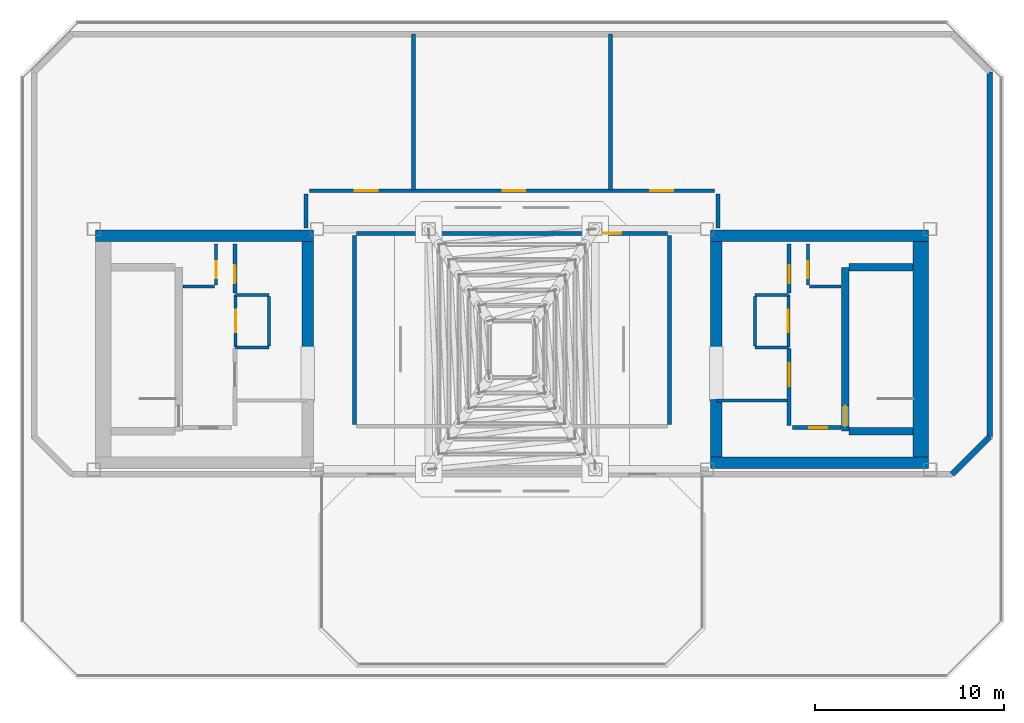
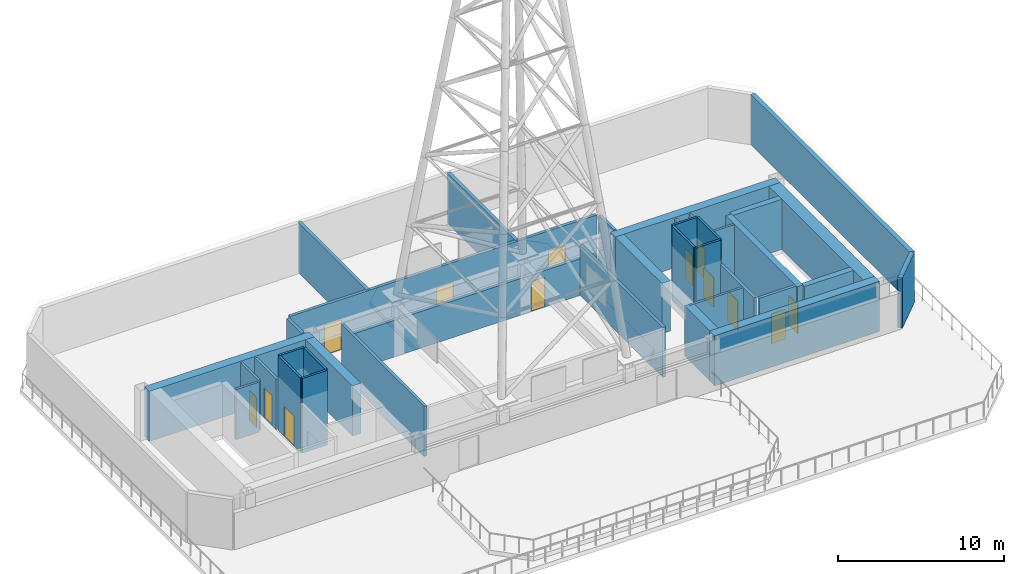
# One storey, part 3 of 7: 37 walls, 13 doors, 13 openings.
"""IFC4 building model written with IfcOpenShell, lengths in metres."""

from ifc_helpers import new_model, si_unit, direction, frame, frame_2d, origin, place, context, subcontext, project, spatial, rectangle, extrude, material, layer, layer_set, type_object, element, fill, save


model = new_model("IFC4")

# Units and contexts
model_context = context("Model", 3, precision=1e-05, world=origin(), true_north=direction((0.0, 1.0)))
body_context = subcontext(model_context, "Body", "Model", "MODEL_VIEW")
ifc_project = project(units=[si_unit("LENGTHUNIT", "METRE"), si_unit("AREAUNIT", "SQUARE_METRE"), si_unit("VOLUMEUNIT", "CUBIC_METRE"), si_unit("PLANEANGLEUNIT", "RADIAN"), si_unit("MASSUNIT", "GRAM", prefix="KILO")], contexts=[model_context])

# Site, building, storey
site_placement = place(None, origin())
site = spatial("IfcSite", under=ifc_project, at=site_placement, CompositionType="ELEMENT")
building_placement = place(site_placement, origin())
building = spatial("IfcBuilding", under=site, at=building_placement, Name="Tavrogorsk Clinical Tower", CompositionType="ELEMENT")
storey_placement = place(building_placement, frame((0.0, 0.0, 357.0)))
storey = spatial("IfcBuildingStorey", under=building, at=storey_placement, Name="L83", CompositionType="ELEMENT", Elevation=357.0)

# Wall, opening, door
ifc_material_1 = material(Name="Concrete B60", Category="concrete")
ifc_layer_1 = layer(ifc_material_1, 0.199951171875)
ifc_layer_set_1 = layer_set([ifc_layer_1], Name="Concrete B60")
wall_type_1 = type_object("IfcWallType", Name="CoreFireWall_200", PredefinedType="SOLIDWALL", material=ifc_layer_set_1)
wall_1_placement = place(storey_placement, frame((-14.639892578125, 2.9599609375, 0.0), z_axis=(0.0, 0.0, 1.0), x_axis=(0.0, 1.0, 0.0)))
wall_1 = element("IfcWall", 1, at=wall_1_placement, inside=storey, type_object=wall_type_1, Name="L83 Core West North Core Room East Wall", PredefinedType="SOLIDWALL", context=body_context, shape_type="SweptSolid", body=[
    extrude(rectangle(XDim=2.60009765625, YDim=0.199951171875, at=frame_2d((1.300048828125, 0.0))), origin(), (0.0, 0.0, 1.0), 3.699951171875),
])
opening_1_placement = place(wall_1_placement, frame((0.52001953125, 0.0, 0.0)))
opening_1 = element("IfcOpeningElement", 2, at=opening_1_placement, cuts=wall_1, Name="Opening ID-02", PredefinedType="OPENING", context=body_context, shape_type="SweptSolid", body=[
    extrude(rectangle(XDim=0.949951171875, YDim=2.199951171875, at=frame_2d((0.47509765625, 1.10009765625))), frame((0.0, 0.10986328125, 0.0), z_axis=(0.0, -1.0, 0.0), x_axis=(1.0, 0.0, 0.0)), (0.0, 0.0, 1.0), 0.219970703125),
])
ifc_material_2 = material(Name="Laminated timber leaf on aluminium frame", Category="wood")
door_type_1 = type_object("IfcDoorType", Name="InteriorDoor_ID02_950", OperationType="NOTDEFINED", PredefinedType="DOOR", material=ifc_material_2)
door_1_placement = place(opening_1_placement, origin())
door_1 = element("IfcDoor", 3, at=door_1_placement, inside=storey, type_object=door_type_1, Name="L83 Core West Core Telemetry Room Door", OperationType="SINGLE_SWING_LEFT", OverallHeight=2.199951171875, OverallWidth=0.949951171875, PredefinedType="DOOR", context=body_context, shape_type="SweptSolid", body=[
    extrude(rectangle(XDim=0.949951171875, YDim=2.199951171875, at=frame_2d((0.47509765625, 1.10009765625))), frame((0.0, 0.02490234375, 0.0), z_axis=(0.0, -1.0, 0.0), x_axis=(1.0, 0.0, 0.0)), (0.0, 0.0, 1.0), 0.050048828125),
])
fill(opening_1, door_1)

wall_2_placement = place(storey_placement, frame((14.824951171875, -4.139892578125, 0.0), z_axis=(0.0, 0.0, 1.0), x_axis=(1.0, 0.0, 0.0)))
wall_2 = element("IfcWall", 4, at=wall_2_placement, inside=storey, type_object=wall_type_1, Name="L83 Core East South Core Room Fire Wall", PredefinedType="SOLIDWALL", context=body_context, shape_type="SweptSolid", body=[
    extrude(rectangle(XDim=2.554931640625, YDim=0.199951171875, at=frame_2d((1.27734375, 0.0))), origin(), (0.0, 0.0, 1.0), 3.699951171875),
])
opening_2_placement = place(wall_2_placement, frame((0.8798828125, 0.0, 0.0)))
opening_2 = element("IfcOpeningElement", 5, at=opening_2_placement, cuts=wall_2, Name="Opening ID-02", PredefinedType="OPENING", context=body_context, shape_type="SweptSolid", body=[
    extrude(rectangle(XDim=0.949951171875, YDim=2.199951171875, at=frame_2d((0.47509765625, 1.10009765625))), frame((0.0, 0.10986328125, 0.0), z_axis=(0.0, -1.0, 0.0), x_axis=(1.0, 0.0, 0.0)), (0.0, 0.0, 1.0), 0.219970703125),
])
door_2_placement = place(opening_2_placement, origin())
door_2 = element("IfcDoor", 6, at=door_2_placement, inside=storey, type_object=door_type_1, Name="L83 Core East South Core Room Door", OperationType="SINGLE_SWING_RIGHT", OverallHeight=2.199951171875, OverallWidth=0.949951171875, PredefinedType="DOOR", context=body_context, shape_type="SweptSolid", body=[
    extrude(rectangle(XDim=0.949951171875, YDim=2.199951171875, at=frame_2d((0.47509765625, 1.10009765625))), frame((0.0, 0.02490234375, 0.0), z_axis=(0.0, -1.0, 0.0), x_axis=(1.0, 0.0, 0.0)), (0.0, 0.0, 1.0), 0.050048828125),
])
fill(opening_2, door_2)

wall_3_placement = place(storey_placement, frame((14.639892578125, 2.9599609375, 0.0), z_axis=(0.0, 0.0, 1.0), x_axis=(0.0, 1.0, 0.0)))
wall_3 = element("IfcWall", 7, at=wall_3_placement, inside=storey, type_object=wall_type_1, Name="L83 Core East North Core Room East Wall", PredefinedType="SOLIDWALL", context=body_context, shape_type="SweptSolid", body=[
    extrude(rectangle(XDim=2.60009765625, YDim=0.199951171875, at=frame_2d((1.300048828125, 0.0))), origin(), (0.0, 0.0, 1.0), 3.699951171875),
])
opening_3_placement = place(wall_3_placement, frame((0.52001953125, 0.0, 0.0)))
opening_3 = element("IfcOpeningElement", 8, at=opening_3_placement, cuts=wall_3, Name="Opening ID-02", PredefinedType="OPENING", context=body_context, shape_type="SweptSolid", body=[
    extrude(rectangle(XDim=0.949951171875, YDim=2.199951171875, at=frame_2d((0.47509765625, 1.10009765625))), frame((0.0, 0.10986328125, 0.0), z_axis=(0.0, -1.0, 0.0), x_axis=(1.0, 0.0, 0.0)), (0.0, 0.0, 1.0), 0.219970703125),
])
door_3_placement = place(opening_3_placement, origin())
door_3 = element("IfcDoor", 9, at=door_3_placement, inside=storey, type_object=door_type_1, Name="L83 Core East Core Telemetry Room Door", OperationType="SINGLE_SWING_LEFT", OverallHeight=2.199951171875, OverallWidth=0.949951171875, PredefinedType="DOOR", context=body_context, shape_type="SweptSolid", body=[
    extrude(rectangle(XDim=0.949951171875, YDim=2.199951171875, at=frame_2d((0.47509765625, 1.10009765625))), frame((0.0, 0.02490234375, 0.0), z_axis=(0.0, -1.0, 0.0), x_axis=(1.0, 0.0, 0.0)), (0.0, 0.0, 1.0), 0.050048828125),
])
fill(opening_3, door_3)

wall_4_placement = place(storey_placement, frame((14.639892578125, -4.034912109375, 0.0), z_axis=(0.0, 0.0, 1.0), x_axis=(0.0, 1.0, 0.0)))
wall_4 = element("IfcWall", 10, at=wall_4_placement, inside=storey, type_object=wall_type_1, Name="L83 Core East Firefighting Lobby Fire Wall", PredefinedType="SOLIDWALL", context=body_context, shape_type="SweptSolid", body=[
    extrude(rectangle(XDim=4.074951171875, YDim=0.199951171875, at=frame_2d((2.03759765625, 0.0))), origin(), (0.0, 0.0, 1.0), 3.699951171875),
])
opening_4_placement = place(wall_4_placement, frame((2.090087890625, 0.0, 0.0)))
opening_4 = element("IfcOpeningElement", 11, at=opening_4_placement, cuts=wall_4, Name="Opening FD-01", PredefinedType="OPENING", context=body_context, shape_type="SweptSolid", body=[
    extrude(rectangle(XDim=1.199951171875, YDim=2.199951171875, at=frame_2d((0.60009765625, 1.10009765625))), frame((0.0, 0.10986328125, 0.0), z_axis=(0.0, -1.0, 0.0), x_axis=(1.0, 0.0, 0.0)), (0.0, 0.0, 1.0), 0.219970703125),
])
ifc_material_3 = material(Name="Galvanised steel fire-rated door assembly", Category="steel")
door_type_2 = type_object("IfcDoorType", Name="FireDoor_FD01_1200", OperationType="NOTDEFINED", PredefinedType="DOOR", material=ifc_material_3)
door_4_placement = place(opening_4_placement, origin())
door_4 = element("IfcDoor", 12, at=door_4_placement, inside=storey, type_object=door_type_2, Name="L83 Core East Firefighting Lobby Entry Door", OperationType="SINGLE_SWING_RIGHT", OverallHeight=2.199951171875, OverallWidth=1.199951171875, PredefinedType="DOOR", context=body_context, shape_type="SweptSolid", body=[
    extrude(rectangle(XDim=1.199951171875, YDim=2.199951171875, at=frame_2d((0.60009765625, 1.10009765625))), frame((0.0, 0.02490234375, 0.0), z_axis=(0.0, -1.0, 0.0), x_axis=(1.0, 0.0, 0.0)), (0.0, 0.0, 1.0), 0.050048828125),
])
fill(opening_4, door_4)

# Wall
wall_5_placement = place(storey_placement, frame((-10.8798828125, 6.419921875, 0.0), z_axis=(0.0, 0.0, 1.0), x_axis=(0.0, 1.0, 0.0)))
element("IfcWall", 13, at=wall_5_placement, inside=storey, type_object=wall_type_1, Name="L83 Crown Corridor Wall 01", PredefinedType="SOLIDWALL", context=body_context, shape_type="SweptSolid", body=[
    extrude(rectangle(XDim=1.775146484375, YDim=0.199951171875, at=frame_2d((0.8876953125, 0.0))), origin(), (0.0, 0.0, 1.0), 3.699951171875),
])

# Wall, openings, doors
wall_6_placement = place(storey_placement, frame((-10.695068359375, 8.3798828125, 0.0), z_axis=(0.0, 0.0, 1.0), x_axis=(1.0, 0.0, 0.0)))
wall_6 = element("IfcWall", 14, at=wall_6_placement, inside=storey, type_object=wall_type_1, Name="L83 Crown Corridor Wall 02", PredefinedType="SOLIDWALL", context=body_context, shape_type="SweptSolid", body=[
    extrude(rectangle(XDim=21.39013671875, YDim=0.199951171875, at=frame_2d((10.695068359375, 0.0))), origin(), (0.0, 0.0, 1.0), 3.699951171875),
])
opening_5_placement = place(wall_6_placement, frame((10.199951171875, 0.0, 0.0)))
opening_5 = element("IfcOpeningElement", 15, at=opening_5_placement, cuts=wall_6, Name="Opening FD-01", PredefinedType="OPENING", context=body_context, shape_type="SweptSolid", body=[
    extrude(rectangle(XDim=1.199951171875, YDim=2.199951171875, at=frame_2d((0.60009765625, 1.10009765625))), frame((0.0, 0.10986328125, 0.0), z_axis=(0.0, -1.0, 0.0), x_axis=(1.0, 0.0, 0.0)), (0.0, 0.0, 1.0), 0.219970703125),
])
opening_6_placement = place(wall_6_placement, frame((2.39404296875, 0.0, 0.0)))
opening_6 = element("IfcOpeningElement", 16, at=opening_6_placement, cuts=wall_6, Name="Opening FD-01", PredefinedType="OPENING", context=body_context, shape_type="SweptSolid", body=[
    extrude(rectangle(XDim=1.199951171875, YDim=2.199951171875, at=frame_2d((0.60009765625, 1.10009765625))), frame((0.0, 0.10986328125, 0.0), z_axis=(0.0, -1.0, 0.0), x_axis=(1.0, 0.0, 0.0)), (0.0, 0.0, 1.0), 0.219970703125),
])
opening_7_placement = place(wall_6_placement, frame((18.005859375, 0.0, 0.0)))
opening_7 = element("IfcOpeningElement", 17, at=opening_7_placement, cuts=wall_6, Name="Opening FD-01", PredefinedType="OPENING", context=body_context, shape_type="SweptSolid", body=[
    extrude(rectangle(XDim=1.199951171875, YDim=2.199951171875, at=frame_2d((0.60009765625, 1.10009765625))), frame((0.0, 0.10986328125, 0.0), z_axis=(0.0, -1.0, 0.0), x_axis=(1.0, 0.0, 0.0)), (0.0, 0.0, 1.0), 0.219970703125),
])
door_5_placement = place(opening_5_placement, origin())
door_5 = element("IfcDoor", 18, at=door_5_placement, inside=storey, type_object=door_type_2, Name="L83 Broadcast Mast RF Combiner Plant Door", OperationType="SINGLE_SWING_RIGHT", OverallHeight=2.199951171875, OverallWidth=1.199951171875, PredefinedType="DOOR", context=body_context, shape_type="SweptSolid", body=[
    extrude(rectangle(XDim=1.199951171875, YDim=2.199951171875, at=frame_2d((0.60009765625, 1.10009765625))), frame((0.0, 0.02490234375, 0.0), z_axis=(0.0, -1.0, 0.0), x_axis=(1.0, 0.0, 0.0)), (0.0, 0.0, 1.0), 0.050048828125),
])
fill(opening_5, door_5)
door_6_placement = place(opening_6_placement, origin())
door_6 = element("IfcDoor", 19, at=door_6_placement, inside=storey, type_object=door_type_2, Name="L83 Helipad Deck Heating & Foam Plant West Door", OperationType="SINGLE_SWING_LEFT", OverallHeight=2.199951171875, OverallWidth=1.199951171875, PredefinedType="DOOR", context=body_context, shape_type="SweptSolid", body=[
    extrude(rectangle(XDim=1.199951171875, YDim=2.199951171875, at=frame_2d((0.60009765625, 1.10009765625))), frame((0.0, 0.02490234375, 0.0), z_axis=(0.0, -1.0, 0.0), x_axis=(1.0, 0.0, 0.0)), (0.0, 0.0, 1.0), 0.050048828125),
])
fill(opening_6, door_6)
door_7_placement = place(opening_7_placement, origin())
door_7 = element("IfcDoor", 20, at=door_7_placement, inside=storey, type_object=door_type_2, Name="L83 Crown Pressurisation & Smoke Plant East Door", OperationType="SINGLE_SWING_RIGHT", OverallHeight=2.199951171875, OverallWidth=1.199951171875, PredefinedType="DOOR", context=body_context, shape_type="SweptSolid", body=[
    extrude(rectangle(XDim=1.199951171875, YDim=2.199951171875, at=frame_2d((0.60009765625, 1.10009765625))), frame((0.0, 0.02490234375, 0.0), z_axis=(0.0, -1.0, 0.0), x_axis=(1.0, 0.0, 0.0)), (0.0, 0.0, 1.0), 0.050048828125),
])
fill(opening_7, door_7)

# Walls
wall_7_placement = place(storey_placement, frame((10.8798828125, 8.195068359375, 0.0), z_axis=(0.0, 0.0, 1.0), x_axis=(0.0, -1.0, 0.0)))
element("IfcWall", 21, at=wall_7_placement, inside=storey, type_object=wall_type_1, Name="L83 Crown Corridor Wall 03", PredefinedType="SOLIDWALL", context=body_context, shape_type="SweptSolid", body=[
    extrude(rectangle(XDim=1.775146484375, YDim=0.199951171875, at=frame_2d((0.8876953125, 0.0))), origin(), (0.0, 0.0, 1.0), 3.699951171875),
])
wall_8_placement = place(storey_placement, frame((8.320068359375, -3.965087890625, 0.0), z_axis=(0.0, 0.0, 1.0), x_axis=(0.0, 1.0, 0.0)))
element("IfcWall", 22, at=wall_8_placement, inside=storey, type_object=wall_type_1, Name="L83 Crown Corridor Wall 05", PredefinedType="SOLIDWALL", context=body_context, shape_type="SweptSolid", body=[
    extrude(rectangle(XDim=9.97998046875, YDim=0.199951171875, at=frame_2d((4.989990234375, 0.0))), origin(), (0.0, 0.0, 1.0), 3.699951171875),
])

# Wall, opening, door
wall_9_placement = place(storey_placement, frame((8.215087890625, 6.1201171875, 0.0), z_axis=(0.0, 0.0, 1.0), x_axis=(-1.0, 0.0, 0.0)))
wall_9 = element("IfcWall", 23, at=wall_9_placement, inside=storey, type_object=wall_type_1, Name="L83 Crown Corridor Wall 06", PredefinedType="SOLIDWALL", context=body_context, shape_type="SweptSolid", body=[
    extrude(rectangle(XDim=16.43017578125, YDim=0.199951171875, at=frame_2d((8.215087890625, 0.0))), origin(), (0.0, 0.0, 1.0), 2.695068359375),
])
opening_8_placement = place(wall_9_placement, frame((2.43994140625, 0.0, 0.0)))
opening_8 = element("IfcOpeningElement", 24, at=opening_8_placement, cuts=wall_9, Name="Opening ID-02", PredefinedType="OPENING", context=body_context, shape_type="SweptSolid", body=[
    extrude(rectangle(XDim=0.949951171875, YDim=2.199951171875, at=frame_2d((0.47509765625, 1.10009765625))), frame((0.0, 0.10986328125, 0.0), z_axis=(0.0, -1.0, 0.0), x_axis=(1.0, 0.0, 0.0)), (0.0, 0.0, 1.0), 0.219970703125),
])
door_8_placement = place(opening_8_placement, origin())
door_8 = element("IfcDoor", 25, at=door_8_placement, inside=storey, type_object=door_type_1, Name="L83 Helipad Flight Control & Trauma Readiness Room Door", OperationType="SINGLE_SWING_LEFT", OverallHeight=2.199951171875, OverallWidth=0.949951171875, PredefinedType="DOOR", context=body_context, shape_type="SweptSolid", body=[
    extrude(rectangle(XDim=0.949951171875, YDim=2.199951171875, at=frame_2d((0.47509765625, 1.10009765625))), frame((0.0, 0.02490234375, 0.0), z_axis=(0.0, -1.0, 0.0), x_axis=(1.0, 0.0, 0.0)), (0.0, 0.0, 1.0), 0.050048828125),
])
fill(opening_8, door_8)

# Walls
wall_10_placement = place(storey_placement, frame((-8.320068359375, 6.014892578125, 0.0), z_axis=(0.0, 0.0, 1.0), x_axis=(0.0, -1.0, 0.0)))
element("IfcWall", 26, at=wall_10_placement, inside=storey, type_object=wall_type_1, Name="L83 Crown Corridor Wall 07", PredefinedType="SOLIDWALL", context=body_context, shape_type="SweptSolid", body=[
    extrude(rectangle(XDim=9.97998046875, YDim=0.199951171875, at=frame_2d((4.989990234375, 0.0))), origin(), (0.0, 0.0, 1.0), 3.699951171875),
])
ifc_material_4 = material(Name="Lightweight concrete blockwork B15", Category="masonry")
ifc_layer_2 = layer(ifc_material_4, 0.159912109375)
ifc_layer_set_2 = layer_set([ifc_layer_2], Name="Lightweight concrete blockwork B15")
wall_type_2 = type_object("IfcWallType", Name="PartitionWall_160", PredefinedType="PARTITIONING", material=ifc_layer_set_2)
wall_11_placement = place(storey_placement, frame((10.800048828125, -2.699951171875, 0.0), z_axis=(0.0, 0.0, 1.0), x_axis=(1.0, 0.0, 0.0)))
element("IfcWall", 27, at=wall_11_placement, inside=storey, type_object=wall_type_2, Name="L83 Core East Freed Mid-Bank North Partition", PredefinedType="PARTITIONING", context=body_context, shape_type="SweptSolid", body=[
    extrude(rectangle(XDim=3.73486328125, YDim=0.159912109375, at=frame_2d((1.867431640625, 0.0))), origin(), (0.0, 0.0, 1.0), 3.699951171875),
])
ifc_material_5 = material(Name="Concrete B45", Category="concrete")
ifc_layer_3 = layer(ifc_material_5, 0.219970703125)
ifc_layer_set_3 = layer_set([ifc_layer_3], Name="Concrete B45")
wall_type_3 = type_object("IfcWallType", Name="PartitionWall_220", PredefinedType="SOLIDWALL", material=ifc_layer_set_3)
for number, where, z_axis, x_axis, name in (
    (28, (-5.199951171875, 8.405029296875, 0.0), (0.0, 0.0, 1.0), (0.0, 1.0, 0.0), "L83 Crown Partition 1"),
    (29, (5.199951171875, 8.405029296875, 0.0), (0.0, 0.0, 1.0), (0.0, 1.0, 0.0), "L83 Crown Partition 2"),
):
    element("IfcWall", number, at=place(storey_placement, frame(where, z_axis=z_axis, x_axis=x_axis)), inside=storey, type_object=wall_type_3, Name=name, PredefinedType="SOLIDWALL", context=body_context, shape_type="SweptSolid", body=[
        extrude(rectangle(XDim=8.244873046875, YDim=0.219970703125, at=frame_2d((4.12255859375, 0.0))), origin(), (0.0, 0.0, 1.0), 3.699951171875),
    ])

# Wall, opening, door
ifc_material_6 = material(Name="Lightweight concrete blockwork B25", Category="masonry")
ifc_layer_4 = layer(ifc_material_6, 0.159912109375)
ifc_layer_set_4 = layer_set([ifc_layer_4], Name="Lightweight concrete blockwork B25")
wall_type_4 = type_object("IfcWallType", Name="ShaftWall_160", PredefinedType="PARTITIONING", material=ifc_layer_set_4)
wall_12_placement = place(storey_placement, frame((-14.60009765625, 0.1201171875, 0.0), z_axis=(0.0, 0.0, 1.0), x_axis=(0.0, 1.0, 0.0)))
wall_12 = element("IfcWall", 30, at=wall_12_placement, inside=storey, type_object=wall_type_4, Name="L83 FFL-W Firefighting Lift Front Wall", PredefinedType="PARTITIONING", context=body_context, shape_type="SweptSolid", body=[
    extrude(rectangle(XDim=2.739990234375, YDim=0.159912109375, at=frame_2d((1.3701171875, 0.0))), origin(), (0.0, 0.0, 1.0), 5.5),
])
opening_9_placement = place(wall_12_placement, frame((0.77001953125, 0.0, 0.0)))
opening_9 = element("IfcOpeningElement", 31, at=opening_9_placement, cuts=wall_12, Name="Opening LD", PredefinedType="OPENING", context=body_context, shape_type="SweptSolid", body=[
    extrude(rectangle(XDim=1.199951171875, YDim=2.199951171875, at=frame_2d((0.60009765625, 1.10009765625))), frame((0.0, 0.08984375, 0.0), z_axis=(0.0, -1.0, 0.0), x_axis=(1.0, 0.0, 0.0)), (0.0, 0.0, 1.0), 0.179931640625),
])
ifc_material_7 = material(Name="Brushed stainless steel AISI 304 sliding doors", Category="steel")
door_type_3 = type_object("IfcDoorType", Name="LiftLandingDoor_LD_1200", OperationType="SLIDING_TO_LEFT", PredefinedType="DOOR", material=ifc_material_7)
door_9_placement = place(opening_9_placement, origin())
door_9 = element("IfcDoor", 32, at=door_9_placement, inside=storey, type_object=door_type_3, Name="L83 FFL-W Sliding Lift Landing Door", OperationType="SLIDING_TO_LEFT", OverallHeight=2.199951171875, OverallWidth=1.199951171875, PredefinedType="DOOR", context=body_context, shape_type="SweptSolid", body=[
    extrude(rectangle(XDim=1.199951171875, YDim=2.199951171875, at=frame_2d((0.60009765625, 1.10009765625))), frame((0.0, 0.02490234375, 0.0), z_axis=(0.0, -1.0, 0.0), x_axis=(1.0, 0.0, 0.0)), (0.0, 0.0, 1.0), 0.050048828125),
])
fill(opening_9, door_9)

# Walls
for number, where, z_axis, x_axis, name in (
    (33, (-14.60009765625, 0.10009765625, 0.0), (0.0, 0.0, 1.0), (1.0, 0.0, 0.0), "L83 FFL-W Shaft South Wall"),
    (34, (-14.60009765625, 2.8798828125, 0.0), (0.0, 0.0, 1.0), (1.0, 0.0, 0.0), "L83 FFL-W Shaft North Wall"),
):
    element("IfcWall", number, at=place(storey_placement, frame(where, z_axis=z_axis, x_axis=x_axis)), inside=storey, type_object=wall_type_4, Name=name, PredefinedType="PARTITIONING", context=body_context, shape_type="SweptSolid", body=[
        extrude(rectangle(XDim=1.760009765625, YDim=0.159912109375, at=frame_2d((0.8798828125, 0.0))), origin(), (0.0, 0.0, 1.0), 5.5),
    ])
wall_13_placement = place(storey_placement, frame((-12.840087890625, 0.179931640625, 0.0), z_axis=(0.0, 0.0, 1.0), x_axis=(0.0, 1.0, 0.0)))
element("IfcWall", 35, at=wall_13_placement, inside=storey, type_object=wall_type_4, Name="L83 FFL-W Shaft Back Wall", PredefinedType="PARTITIONING", context=body_context, shape_type="SweptSolid", body=[
    extrude(rectangle(XDim=2.6201171875, YDim=0.159912109375, at=frame_2d((1.31005859375, 0.0))), origin(), (0.0, 0.0, 1.0), 5.5),
])

# Wall, opening, door
wall_14_placement = place(storey_placement, frame((14.60009765625, 0.1201171875, 0.0), z_axis=(0.0, 0.0, 1.0), x_axis=(0.0, 1.0, 0.0)))
wall_14 = element("IfcWall", 36, at=wall_14_placement, inside=storey, type_object=wall_type_4, Name="L83 FFL-E Firefighting Lift Front Wall", PredefinedType="PARTITIONING", context=body_context, shape_type="SweptSolid", body=[
    extrude(rectangle(XDim=2.739990234375, YDim=0.159912109375, at=frame_2d((1.3701171875, 0.0))), origin(), (0.0, 0.0, 1.0), 5.5),
])
opening_10_placement = place(wall_14_placement, frame((0.77001953125, 0.0, 0.0)))
opening_10 = element("IfcOpeningElement", 37, at=opening_10_placement, cuts=wall_14, Name="Opening LD", PredefinedType="OPENING", context=body_context, shape_type="SweptSolid", body=[
    extrude(rectangle(XDim=1.199951171875, YDim=2.199951171875, at=frame_2d((0.60009765625, 1.10009765625))), frame((0.0, 0.08984375, 0.0), z_axis=(0.0, -1.0, 0.0), x_axis=(1.0, 0.0, 0.0)), (0.0, 0.0, 1.0), 0.179931640625),
])
door_10_placement = place(opening_10_placement, origin())
door_10 = element("IfcDoor", 38, at=door_10_placement, inside=storey, type_object=door_type_3, Name="L83 FFL-E Sliding Lift Landing Door", OperationType="SLIDING_TO_LEFT", OverallHeight=2.199951171875, OverallWidth=1.199951171875, PredefinedType="DOOR", context=body_context, shape_type="SweptSolid", body=[
    extrude(rectangle(XDim=1.199951171875, YDim=2.199951171875, at=frame_2d((0.60009765625, 1.10009765625))), frame((0.0, 0.02490234375, 0.0), z_axis=(0.0, -1.0, 0.0), x_axis=(1.0, 0.0, 0.0)), (0.0, 0.0, 1.0), 0.050048828125),
])
fill(opening_10, door_10)

# Walls
for number, where, z_axis, x_axis, name in (
    (39, (12.840087890625, 0.10009765625, 0.0), (0.0, 0.0, 1.0), (1.0, 0.0, 0.0), "L83 FFL-E Shaft South Wall"),
    (40, (12.840087890625, 2.8798828125, 0.0), (0.0, 0.0, 1.0), (1.0, 0.0, 0.0), "L83 FFL-E Shaft North Wall"),
):
    element("IfcWall", number, at=place(storey_placement, frame(where, z_axis=z_axis, x_axis=x_axis)), inside=storey, type_object=wall_type_4, Name=name, PredefinedType="PARTITIONING", context=body_context, shape_type="SweptSolid", body=[
        extrude(rectangle(XDim=1.760009765625, YDim=0.159912109375, at=frame_2d((0.8798828125, 0.0))), origin(), (0.0, 0.0, 1.0), 5.5),
    ])
wall_15_placement = place(storey_placement, frame((12.840087890625, 0.179931640625, 0.0), z_axis=(0.0, 0.0, 1.0), x_axis=(0.0, 1.0, 0.0)))
element("IfcWall", 41, at=wall_15_placement, inside=storey, type_object=wall_type_4, Name="L83 FFL-E Shaft Back Wall", PredefinedType="PARTITIONING", context=body_context, shape_type="SweptSolid", body=[
    extrude(rectangle(XDim=2.6201171875, YDim=0.159912109375, at=frame_2d((1.31005859375, 0.0))), origin(), (0.0, 0.0, 1.0), 5.5),
])

# Wall, opening, door
wall_16_placement = place(storey_placement, frame((-15.639892578125, 3.405029296875, 0.0), z_axis=(0.0, 0.0, 1.0), x_axis=(0.0, 1.0, 0.0)))
wall_16 = element("IfcWall", 42, at=wall_16_placement, inside=storey, type_object=wall_type_4, Name="L83 Core West Riser West Wall", PredefinedType="PARTITIONING", context=body_context, shape_type="SweptSolid", body=[
    extrude(rectangle(XDim=2.155029296875, YDim=0.159912109375, at=frame_2d((1.07763671875, 0.0))), origin(), (0.0, 0.0, 1.0), 3.699951171875),
])
opening_11_placement = place(wall_16_placement, frame((0.35009765625, 0.0, 0.0)))
opening_11 = element("IfcOpeningElement", 43, at=opening_11_placement, cuts=wall_16, Name="Opening FD-02", PredefinedType="OPENING", context=body_context, shape_type="SweptSolid", body=[
    extrude(rectangle(XDim=0.89990234375, YDim=2.199951171875, at=frame_2d((0.449951171875, 1.10009765625))), frame((0.0, 0.08984375, 0.0), z_axis=(0.0, -1.0, 0.0), x_axis=(1.0, 0.0, 0.0)), (0.0, 0.0, 1.0), 0.179931640625),
])
ifc_material_8 = material(Name="Galvanised steel fire-rated door assembly", Category="steel")
door_type_4 = type_object("IfcDoorType", Name="FireDoor_FD02_900", OperationType="NOTDEFINED", PredefinedType="DOOR", material=ifc_material_8)
door_11_placement = place(opening_11_placement, origin())
door_11 = element("IfcDoor", 44, at=door_11_placement, inside=storey, type_object=door_type_4, Name="L83 Core West Electrical Riser Access Door", OperationType="SINGLE_SWING_LEFT", OverallHeight=2.199951171875, OverallWidth=0.89990234375, PredefinedType="DOOR", context=body_context, shape_type="SweptSolid", body=[
    extrude(rectangle(XDim=0.89990234375, YDim=2.199951171875, at=frame_2d((0.449951171875, 1.10009765625))), frame((0.0, 0.02490234375, 0.0), z_axis=(0.0, -1.0, 0.0), x_axis=(1.0, 0.0, 0.0)), (0.0, 0.0, 1.0), 0.050048828125),
])
fill(opening_11, door_11)

# Wall
wall_17_placement = place(storey_placement, frame((-17.3798828125, 3.320068359375, 0.0), z_axis=(0.0, 0.0, 1.0), x_axis=(1.0, 0.0, 0.0)))
element("IfcWall", 45, at=wall_17_placement, inside=storey, type_object=wall_type_4, Name="L83 Core West Riser South Wall", PredefinedType="PARTITIONING", context=body_context, shape_type="SweptSolid", body=[
    extrude(rectangle(XDim=1.65478515625, YDim=0.159912109375, at=frame_2d((0.827392578125, 0.0))), origin(), (0.0, 0.0, 1.0), 3.699951171875),
])

# Wall, opening, door
wall_18_placement = place(storey_placement, frame((15.639892578125, 3.405029296875, 0.0), z_axis=(0.0, 0.0, 1.0), x_axis=(0.0, 1.0, 0.0)))
wall_18 = element("IfcWall", 46, at=wall_18_placement, inside=storey, type_object=wall_type_4, Name="L83 Core East Riser West Wall", PredefinedType="PARTITIONING", context=body_context, shape_type="SweptSolid", body=[
    extrude(rectangle(XDim=2.155029296875, YDim=0.159912109375, at=frame_2d((1.07763671875, 0.0))), origin(), (0.0, 0.0, 1.0), 3.699951171875),
])
opening_12_placement = place(wall_18_placement, frame((0.35009765625, 0.0, 0.0)))
opening_12 = element("IfcOpeningElement", 47, at=opening_12_placement, cuts=wall_18, Name="Opening FD-02", PredefinedType="OPENING", context=body_context, shape_type="SweptSolid", body=[
    extrude(rectangle(XDim=0.89990234375, YDim=2.199951171875, at=frame_2d((0.449951171875, 1.10009765625))), frame((0.0, 0.08984375, 0.0), z_axis=(0.0, -1.0, 0.0), x_axis=(1.0, 0.0, 0.0)), (0.0, 0.0, 1.0), 0.179931640625),
])
door_12_placement = place(opening_12_placement, origin())
door_12 = element("IfcDoor", 48, at=door_12_placement, inside=storey, type_object=door_type_4, Name="L83 Core East Electrical Riser Access Door", OperationType="SINGLE_SWING_LEFT", OverallHeight=2.199951171875, OverallWidth=0.89990234375, PredefinedType="DOOR", context=body_context, shape_type="SweptSolid", body=[
    extrude(rectangle(XDim=0.89990234375, YDim=2.199951171875, at=frame_2d((0.449951171875, 1.10009765625))), frame((0.0, 0.02490234375, 0.0), z_axis=(0.0, -1.0, 0.0), x_axis=(1.0, 0.0, 0.0)), (0.0, 0.0, 1.0), 0.050048828125),
])
fill(opening_12, door_12)

# Wall
wall_19_placement = place(storey_placement, frame((15.72509765625, 3.320068359375, 0.0), z_axis=(0.0, 0.0, 1.0), x_axis=(1.0, 0.0, 0.0)))
element("IfcWall", 49, at=wall_19_placement, inside=storey, type_object=wall_type_4, Name="L83 Core East Riser South Wall", PredefinedType="PARTITIONING", context=body_context, shape_type="SweptSolid", body=[
    extrude(rectangle(XDim=1.65478515625, YDim=0.159912109375, at=frame_2d((0.827392578125, 0.0))), origin(), (0.0, 0.0, 1.0), 3.699951171875),
])

# Wall, opening, door
ifc_material_9 = material(Name="Concrete B80", Category="concrete")
ifc_layer_5 = layer(ifc_material_9, 0.39990234375)
ifc_layer_set_5 = layer_set([ifc_layer_5], Name="Concrete B80")
wall_type_5 = type_object("IfcWallType", Name="ShearWall_400", PredefinedType="SHEAR", material=ifc_layer_set_5)
wall_20_placement = place(storey_placement, frame((17.60009765625, -4.324951171875, 0.0), z_axis=(0.0, 0.0, 1.0), x_axis=(0.0, 1.0, 0.0)))
wall_20 = element("IfcWall", 50, at=wall_20_placement, inside=storey, type_object=wall_type_5, Name="L83 Core East Stair Shaft Inner Shear Wall", PredefinedType="SHEAR", context=body_context, shape_type="SweptSolid", body=[
    extrude(rectangle(XDim=8.64990234375, YDim=0.39990234375, at=frame_2d((4.324951171875, 0.0))), origin(), (0.0, 0.0, 1.0), 3.699951171875),
])
opening_13_placement = place(wall_20_placement, frame((0.25, 0.0, 0.0)))
opening_13 = element("IfcOpeningElement", 51, at=opening_13_placement, cuts=wall_20, Name="Opening SD-01", PredefinedType="OPENING", context=body_context, shape_type="SweptSolid", body=[
    extrude(rectangle(XDim=1.10009765625, YDim=2.199951171875, at=frame_2d((0.550048828125, 1.10009765625))), frame((0.0, 0.2099609375, 0.0), z_axis=(0.0, -1.0, 0.0), x_axis=(1.0, 0.0, 0.0)), (0.0, 0.0, 1.0), 0.419921875),
])
ifc_material_10 = material(Name="Galvanised steel smoke-tight fire door assembly", Category="steel")
door_type_5 = type_object("IfcDoorType", Name="StairFireDoor_SD01_1100", OperationType="NOTDEFINED", PredefinedType="DOOR", material=ifc_material_10)
door_13_placement = place(opening_13_placement, origin())
door_13 = element("IfcDoor", 52, at=door_13_placement, inside=storey, type_object=door_type_5, Name="L83 ST-E Exit Stair Door", OperationType="SINGLE_SWING_LEFT", OverallHeight=2.199951171875, OverallWidth=1.10009765625, PredefinedType="DOOR", context=body_context, shape_type="SweptSolid", body=[
    extrude(rectangle(XDim=1.10009765625, YDim=2.199951171875, at=frame_2d((0.550048828125, 1.10009765625))), frame((0.0, 0.02490234375, 0.0), z_axis=(0.0, -1.0, 0.0), x_axis=(1.0, 0.0, 0.0)), (0.0, 0.0, 1.0), 0.050048828125),
])
fill(opening_13, door_13)

# Walls
for number, where, z_axis, x_axis, name in (
    (53, (17.800048828125, -4.324951171875, 0.0), (0.0, 0.0, 1.0), (1.0, 0.0, 0.0), "L83 Core East Stair Shaft South Shear Wall"),
    (54, (17.800048828125, 4.324951171875, 0.0), (0.0, 0.0, 1.0), (1.0, 0.0, 0.0), "L83 Core East Stair Shaft North Shear Wall"),
):
    element("IfcWall", number, at=place(storey_placement, frame(where, z_axis=z_axis, x_axis=x_axis)), inside=storey, type_object=wall_type_5, Name=name, PredefinedType="SHEAR", context=body_context, shape_type="SweptSolid", body=[
        extrude(rectangle(XDim=3.39990234375, YDim=0.39990234375, at=frame_2d((1.699951171875, 0.0))), origin(), (0.0, 0.0, 1.0), 3.699951171875),
    ])
ifc_material_11 = material(Name="Concrete B80", Category="concrete")
ifc_layer_6 = layer(ifc_material_11, 0.60009765625)
ifc_layer_set_6 = layer_set([ifc_layer_6], Name="Concrete B80")
wall_type_6 = type_object("IfcWallType", Name="ShearWall_600", PredefinedType="SHEAR", material=ifc_layer_set_6)
wall_21_placement = place(storey_placement, frame((-22.0, 6.0, 0.0), z_axis=(0.0, 0.0, 1.0), x_axis=(1.0, 0.0, 0.0)))
element("IfcWall", 55, at=wall_21_placement, inside=storey, type_object=wall_type_6, Name="L83 Core West North Shear Wall", PredefinedType="SHEAR", context=body_context, shape_type="SweptSolid", body=[
    extrude(rectangle(XDim=11.5, YDim=0.60009765625, at=frame_2d((5.75, 0.0))), origin(), (0.0, 0.0, 1.0), 3.699951171875),
])
wall_22_placement = place(storey_placement, frame((-10.800048828125, 0.050048828125, 0.0), z_axis=(0.0, 0.0, 1.0), x_axis=(0.0, 1.0, 0.0)))
element("IfcWall", 56, at=wall_22_placement, inside=storey, type_object=wall_type_6, Name="L83 Core West Inner North Pier", PredefinedType="SHEAR", context=body_context, shape_type="SweptSolid", body=[
    extrude(rectangle(XDim=5.64990234375, YDim=0.60009765625, at=frame_2d((2.824951171875, 0.0))), origin(), (0.0, 0.0, 1.0), 3.699951171875),
])
for number, where, z_axis, x_axis, name in (
    (57, (10.5, 6.0, 0.0), (0.0, 0.0, 1.0), (1.0, 0.0, 0.0), "L83 Core East North Shear Wall"),
    (58, (10.5, -6.0, 0.0), (0.0, 0.0, 1.0), (1.0, 0.0, 0.0), "L83 Core East South Shear Wall"),
):
    element("IfcWall", number, at=place(storey_placement, frame(where, z_axis=z_axis, x_axis=x_axis)), inside=storey, type_object=wall_type_6, Name=name, PredefinedType="SHEAR", context=body_context, shape_type="SweptSolid", body=[
        extrude(rectangle(XDim=11.5, YDim=0.60009765625, at=frame_2d((5.75, 0.0))), origin(), (0.0, 0.0, 1.0), 3.699951171875),
    ])
wall_23_placement = place(storey_placement, frame((10.800048828125, -5.699951171875, 0.0), z_axis=(0.0, 0.0, 1.0), x_axis=(0.0, 1.0, 0.0)))
element("IfcWall", 59, at=wall_23_placement, inside=storey, type_object=wall_type_6, Name="L83 Core East Inner South Pier", PredefinedType="SHEAR", context=body_context, shape_type="SweptSolid", body=[
    extrude(rectangle(XDim=3.050048828125, YDim=0.60009765625, at=frame_2d((1.52490234375, 0.0))), origin(), (0.0, 0.0, 1.0), 3.699951171875),
])
wall_24_placement = place(storey_placement, frame((10.800048828125, 0.050048828125, 0.0), z_axis=(0.0, 0.0, 1.0), x_axis=(0.0, 1.0, 0.0)))
element("IfcWall", 60, at=wall_24_placement, inside=storey, type_object=wall_type_6, Name="L83 Core East Inner North Pier", PredefinedType="SHEAR", context=body_context, shape_type="SweptSolid", body=[
    extrude(rectangle(XDim=5.64990234375, YDim=0.60009765625, at=frame_2d((2.824951171875, 0.0))), origin(), (0.0, 0.0, 1.0), 3.699951171875),
])
ifc_material_12 = material(Name="Concrete B80", Category="concrete")
ifc_layer_7 = layer(ifc_material_12, 0.800048828125)
ifc_layer_set_7 = layer_set([ifc_layer_7], Name="Concrete B80")
wall_type_7 = type_object("IfcWallType", Name="ShearWall_800", PredefinedType="SHEAR", material=ifc_layer_set_7)
wall_25_placement = place(storey_placement, frame((21.60009765625, -5.699951171875, 0.0), z_axis=(0.0, 0.0, 1.0), x_axis=(0.0, 1.0, 0.0)))
element("IfcWall", 61, at=wall_25_placement, inside=storey, type_object=wall_type_7, Name="L83 Core East End Shear Wall", PredefinedType="SHEAR", context=body_context, shape_type="SweptSolid", body=[
    extrude(rectangle(XDim=11.39990234375, YDim=0.800048828125, at=frame_2d((5.699951171875, 0.0))), origin(), (0.0, 0.0, 1.0), 3.699951171875),
])
ifc_material_13 = material(Name="Precast concrete B45 with mineral wool", Category="concrete")
ifc_layer_8 = layer(ifc_material_13, 0.300048828125)
ifc_layer_set_8 = layer_set([ifc_layer_8], Name="Precast concrete B45 with mineral wool")
wall_type_8 = type_object("IfcWallType", Name="SpandrelBackWall_300", PredefinedType="STANDARD", material=ifc_layer_set_8)
wall_26_placement = place(storey_placement, frame((23.25, -6.60009765625, 0.0), z_axis=(0.0, 0.0, 1.0), x_axis=(0.707106781187, 0.707106781187, 0.0)))
element("IfcWall", 62, at=wall_26_placement, inside=storey, type_object=wall_type_8, Name="L83 Crown Control Pavilion Wall 2", PredefinedType="STANDARD", context=body_context, shape_type="SweptSolid", body=[
    extrude(rectangle(XDim=2.828369140625, YDim=0.300048828125, at=frame_2d((1.4140625, 0.0))), origin(), (0.0, 0.0, 1.0), 3.699951171875),
])
wall_27_placement = place(storey_placement, frame((25.25, -4.60009765625, 0.0), z_axis=(0.0, 0.0, 1.0), x_axis=(0.0, 1.0, 0.0)))
element("IfcWall", 63, at=wall_27_placement, inside=storey, type_object=wall_type_8, Name="L83 Crown Control Pavilion Wall 3", PredefinedType="STANDARD", context=body_context, shape_type="SweptSolid", body=[
    extrude(rectangle(XDim=19.25, YDim=0.300048828125, at=frame_2d((9.625, 0.0))), origin(), (0.0, 0.0, 1.0), 3.699951171875),
])

save(model, "model.ifc")
